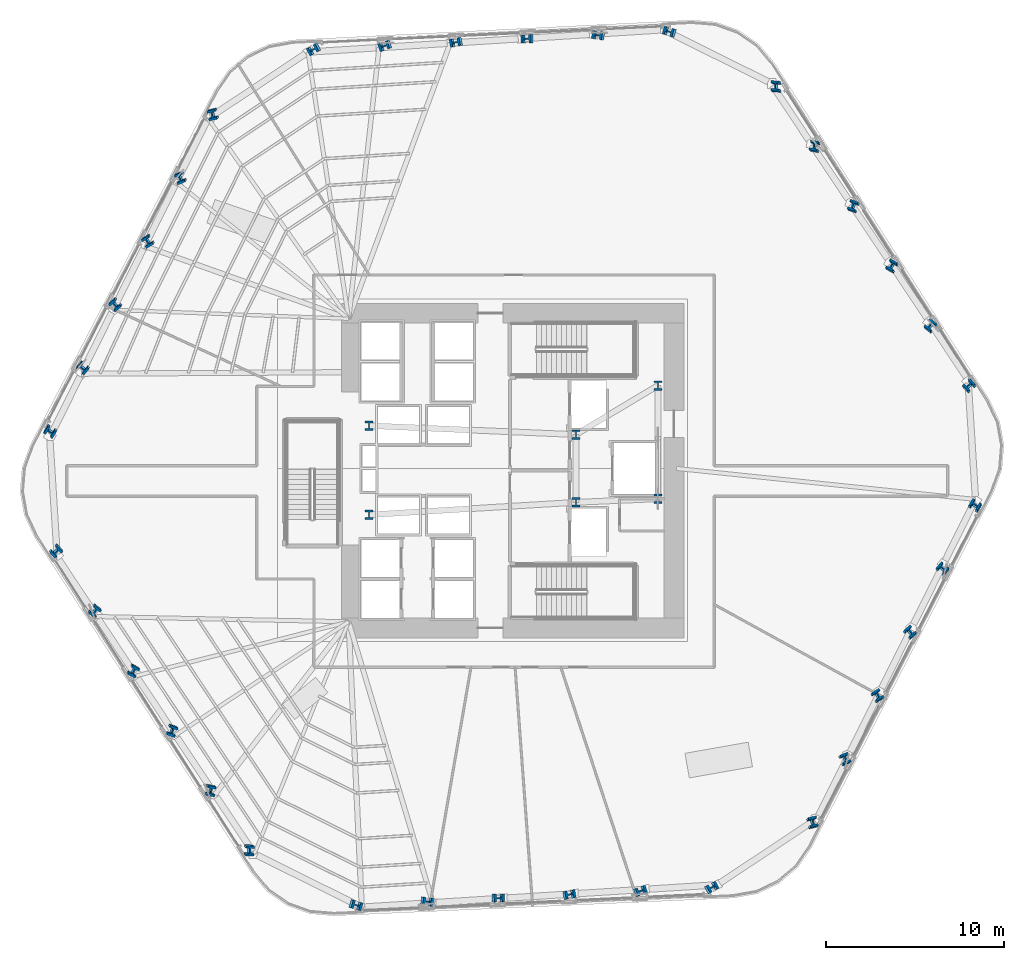
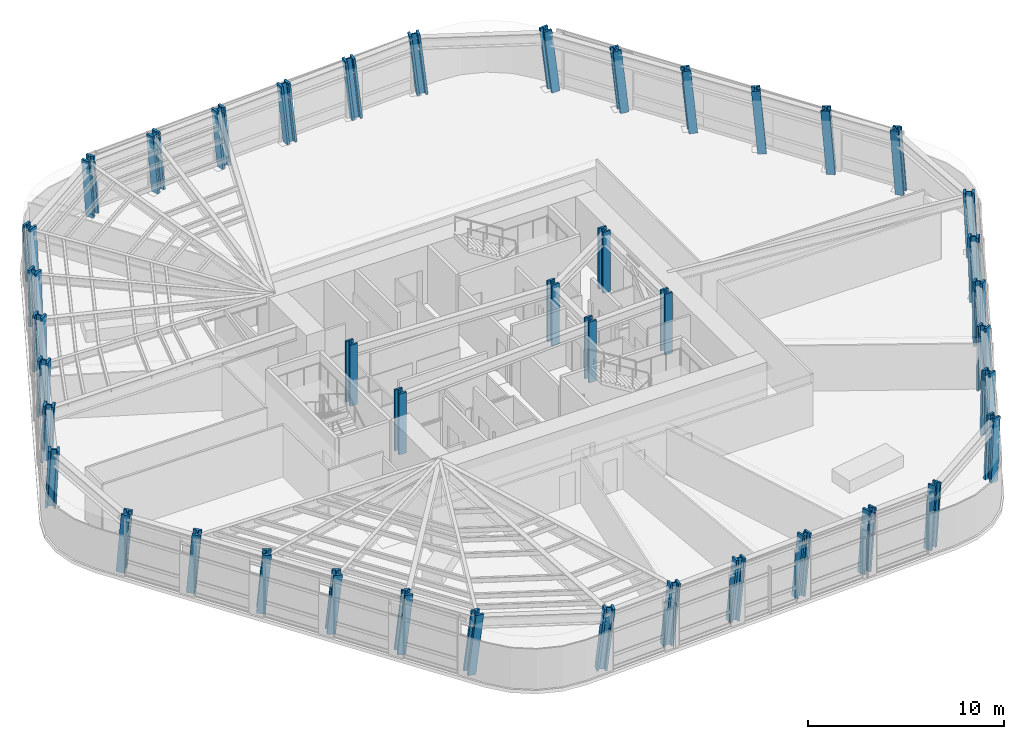
# One storey, part 1 of 15: 42 columns.
"""IFC4 building model written with IfcOpenShell, lengths in metres."""

from ifc_helpers import new_model, si_unit, direction, frame, origin, origin_2d, place, context, subcontext, project, spatial, i_section, extrude, material, material_profile, profile_set, type_object, element, save


model = new_model("IFC4")

# Units and contexts
model_context = context("Model", 3, precision=1e-05, world=origin(), true_north=direction((0.0, 1.0)))
body_context = subcontext(model_context, "Body", "Model", "MODEL_VIEW")
ifc_project = project(units=[si_unit("LENGTHUNIT", "METRE"), si_unit("AREAUNIT", "SQUARE_METRE"), si_unit("VOLUMEUNIT", "CUBIC_METRE"), si_unit("PLANEANGLEUNIT", "RADIAN"), si_unit("MASSUNIT", "GRAM", prefix="KILO")], contexts=[model_context])

# Site, building, storey
site_placement = place(None, origin())
site = spatial("IfcSite", under=ifc_project, at=site_placement, CompositionType="ELEMENT")
building_placement = place(site_placement, origin())
building = spatial("IfcBuilding", under=site, at=building_placement, Name="Valkerne Bourse Tower", CompositionType="ELEMENT")
storey_placement = place(building_placement, frame((0.0, 0.0, 35.39990234375)))
storey = spatial("IfcBuildingStorey", under=building, at=storey_placement, Name="L08", CompositionType="ELEMENT", Elevation=35.39990234375)

# Columns
ifc_material = material(Name="Steel ASTM A913 Grade 65", Category="steel")
ifc_material_profile_1 = material_profile(ifc_material, i_section(OverallWidth=0.44189453125, OverallDepth=0.531005859375, WebThickness=0.06591796875, FlangeThickness=0.105712890625, FilletRadius=0.030517578125, at=origin_2d()), Name="W14X605")
ifc_profile_set_1 = profile_set([ifc_material_profile_1], Name="Steel ASTM A913 Grade 65")
column_type_1 = type_object("IfcColumnType", Name="COL-W14X605", PredefinedType="COLUMN", material=ifc_profile_set_1)
for number, where, z_axis, x_axis, name in (
    (1, (38.75, 24.39990234375, 0.005126953125), (0.0, 0.0, 1.0), (1.0, 0.0, 0.0), "L08 Core Frame Column CC-SW"),
    (2, (38.75, 29.39990234375, 0.005126953125), (0.0, 0.0, 1.0), (1.0, 0.0, 0.0), "L08 Core Frame Column CC-NW"),
    (3, (50.35009765625, 25.10009765625, 0.005126953125), (0.0, 0.0, 1.0), (1.0, 0.0, 0.0), "L08 Core Frame Column CC-CE1"),
    (4, (50.35009765625, 28.89990234375, 0.005126953125), (0.0, 0.0, 1.0), (1.0, 0.0, 0.0), "L08 Core Frame Column CC-CE2"),
    (5, (54.949951171875, 25.300048828125, 0.005126953125), (0.0, 0.0, 1.0), (1.0, 0.0, 0.0), "L08 Core Frame Column CC-SE"),
    (6, (54.949951171875, 31.64990234375, 0.005126953125), (0.0, 0.0, 1.0), (1.0, 0.0, 0.0), "L08 Core Frame Column CC-NE"),
):
    element("IfcColumn", number, at=place(storey_placement, frame(where, z_axis=z_axis, x_axis=x_axis)), inside=storey, type_object=column_type_1, Name=name, PredefinedType="COLUMN", context=body_context, shape_type="SweptSolid", body=[
        extrude(i_section(OverallWidth=0.44189453125, OverallDepth=0.531005859375, WebThickness=0.06591796875, FlangeThickness=0.105712890625, FilletRadius=0.030517578125, at=origin_2d()), origin(), (0.0, 0.0, 1.0), 3.794921875),
    ])
ifc_material_profile_2 = material_profile(ifc_material, i_section(OverallWidth=0.45458984375, OverallDepth=0.569091796875, WebThickness=0.077880859375, FlangeThickness=0.124755859375, FilletRadius=0.030517578125, at=origin_2d()), Name="W14X730")
ifc_profile_set_2 = profile_set([ifc_material_profile_2], Name="Steel ASTM A913 Grade 65")
column_type_2 = type_object("IfcColumnType", Name="COL-W14X730", PredefinedType="COLUMN", material=ifc_profile_set_2)
column_1_placement = place(storey_placement, frame((72.42041015625, 31.576416015625, 0.010009765625), z_axis=(-0.019772398803, 0.105666780616, 0.994205000852), x_axis=(0.684904105353, -0.722995713174, 0.090463059878)))
element("IfcColumn", 7, at=column_1_placement, inside=storey, type_object=column_type_2, Name="L08 Helical Perimeter Tube Column F1-C1", PredefinedType="COLUMN", context=body_context, shape_type="SweptSolid", body=[
    extrude(i_section(OverallWidth=0.45458984375, OverallDepth=0.569091796875, WebThickness=0.077880859375, FlangeThickness=0.124755859375, FilletRadius=0.030517578125, at=origin_2d()), origin(), (0.0, 0.0, 1.0), 3.802978515625),
])
column_2_placement = place(storey_placement, frame((70.26171875, 34.939208984375, 0.010009765625), z_axis=(-0.033592952135, 0.09666805538, 0.994749617057), x_axis=(0.785083545068, -0.613373729236, 0.086119077715)))
element("IfcColumn", 8, at=column_2_placement, inside=storey, type_object=column_type_2, Name="L08 Helical Perimeter Tube Column F1-C2", PredefinedType="COLUMN", context=body_context, shape_type="SweptSolid", body=[
    extrude(i_section(OverallWidth=0.45458984375, OverallDepth=0.569091796875, WebThickness=0.077880859375, FlangeThickness=0.124755859375, FilletRadius=0.030517578125, at=origin_2d()), origin(), (0.0, 0.0, 1.0), 3.801025390625),
])
for number, where, z_axis, x_axis, name in (
    (9, (68.102783203125, 38.3017578125, 0.010009765625), (-0.047415458346, 0.087699323363, 0.99501789079), (0.873456132325, -0.479620575423, 0.083895700336), "L08 Helical Perimeter Tube Column F1-C3"),
    (10, (65.944091796875, 41.66455078125, 0.010009765625), (-0.06129309996, 0.078640203722, 0.995017022094), (0.940837617094, -0.328306054679, 0.083902995908), "L08 Helical Perimeter Tube Column F1-C4"),
):
    element("IfcColumn", number, at=place(storey_placement, frame(where, z_axis=z_axis, x_axis=x_axis)), inside=storey, type_object=column_type_2, Name=name, PredefinedType="COLUMN", context=body_context, shape_type="SweptSolid", body=[
        extrude(i_section(OverallWidth=0.45458984375, OverallDepth=0.569091796875, WebThickness=0.077880859375, FlangeThickness=0.124755859375, FilletRadius=0.030517578125, at=origin_2d()), origin(), (0.0, 0.0, 1.0), 3.800048828125),
    ])
column_3_placement = place(storey_placement, frame((63.78515625, 45.027099609375, 0.010009765625), z_axis=(-0.075022006373, 0.069626588106, 0.994748127311), x_axis=(0.981067772361, -0.173457290615, 0.086131262423)))
element("IfcColumn", 11, at=column_3_placement, inside=storey, type_object=column_type_2, Name="L08 Helical Perimeter Tube Column F1-C5", PredefinedType="COLUMN", context=body_context, shape_type="SweptSolid", body=[
    extrude(i_section(OverallWidth=0.45458984375, OverallDepth=0.569091796875, WebThickness=0.077880859375, FlangeThickness=0.124755859375, FilletRadius=0.030517578125, at=origin_2d()), origin(), (0.0, 0.0, 1.0), 3.801025390625),
])
for number, where, z_axis, x_axis, name in (
    (12, (61.62646484375, 48.389892578125, 0.010009765625), (-0.088847306299, 0.060536856821, 0.994203925324), (0.995594376171, -0.024632468642, 0.09047142988), "L08 Helical Perimeter Tube Column F1-C6"),
    (13, (55.646728515625, 51.47607421875, 0.010009765625), (-0.101365786037, 0.035757278545, 0.994206414409), (0.288128460272, 0.957578379417, -0.005063364019), "L08 Helical Perimeter Tube Column F2-C1"),
):
    element("IfcColumn", number, at=place(storey_placement, frame(where, z_axis=z_axis, x_axis=x_axis)), inside=storey, type_object=column_type_2, Name=name, PredefinedType="COLUMN", context=body_context, shape_type="SweptSolid", body=[
        extrude(i_section(OverallWidth=0.45458984375, OverallDepth=0.569091796875, WebThickness=0.077880859375, FlangeThickness=0.124755859375, FilletRadius=0.030517578125, at=origin_2d()), origin(), (0.0, 0.0, 1.0), 3.802978515625),
    ])
column_4_placement = place(storey_placement, frame((51.6552734375, 51.287841796875, 0.010009765625), z_axis=(-0.100521792204, 0.019269353138, 0.99474824017), x_axis=(0.142035333558, 0.989849846051, -0.004821441002)))
element("IfcColumn", 14, at=column_4_placement, inside=storey, type_object=column_type_2, Name="L08 Helical Perimeter Tube Column F2-C2", PredefinedType="COLUMN", context=body_context, shape_type="SweptSolid", body=[
    extrude(i_section(OverallWidth=0.45458984375, OverallDepth=0.569091796875, WebThickness=0.077880859375, FlangeThickness=0.124755859375, FilletRadius=0.030517578125, at=origin_2d()), origin(), (0.0, 0.0, 1.0), 3.801025390625),
])
for number, where, z_axis, x_axis, name in (
    (15, (47.663818359375, 51.099609375, 0.010009765625), (-0.099649647009, 0.002762691697, 0.995018751273), (-0.01917116364, 0.999805188318, -0.004695944851), "L08 Helical Perimeter Tube Column F2-C3"),
    (16, (43.672119140625, 50.911376953125, 0.010009765625), (-0.098750107293, -0.01368495306, 0.995018159819), (-0.183545481325, 0.983000000903, -0.004696222936), "L08 Helical Perimeter Tube Column F2-C4"),
):
    element("IfcColumn", number, at=place(storey_placement, frame(where, z_axis=z_axis, x_axis=x_axis)), inside=storey, type_object=column_type_2, Name=name, PredefinedType="COLUMN", context=body_context, shape_type="SweptSolid", body=[
        extrude(i_section(OverallWidth=0.45458984375, OverallDepth=0.569091796875, WebThickness=0.077880859375, FlangeThickness=0.124755859375, FilletRadius=0.030517578125, at=origin_2d()), origin(), (0.0, 0.0, 1.0), 3.800048828125),
    ])
column_5_placement = place(storey_placement, frame((39.6806640625, 50.72314453125, 0.010009765625), z_axis=(-0.097823839806, -0.030188578272, 0.994745769585), x_axis=(-0.339327310625, 0.940656004639, -0.004822571957)))
element("IfcColumn", 17, at=column_5_placement, inside=storey, type_object=column_type_2, Name="L08 Helical Perimeter Tube Column F2-C5", PredefinedType="COLUMN", context=body_context, shape_type="SweptSolid", body=[
    extrude(i_section(OverallWidth=0.45458984375, OverallDepth=0.569091796875, WebThickness=0.077880859375, FlangeThickness=0.124755859375, FilletRadius=0.030517578125, at=origin_2d()), origin(), (0.0, 0.0, 1.0), 3.801025390625),
])
for number, where, z_axis, x_axis, name in (
    (18, (35.68896484375, 50.534912109375, 0.010009765625), (-0.09680803539, -0.046670717326, 0.994208252042), (-0.475969519695, 0.879447205223, -0.005062563279), "L08 Helical Perimeter Tube Column F2-C6"),
    (19, (30.026611328125, 46.899658203125, 0.010009765625), (-0.081657485484, -0.069909592525, 0.994205564226), (-0.969396243465, -0.226155681774, -0.095522409707), "L08 Helical Perimeter Tube Column F3-C1"),
):
    element("IfcColumn", number, at=place(storey_placement, frame(where, z_axis=z_axis, x_axis=x_axis)), inside=storey, type_object=column_type_2, Name=name, PredefinedType="COLUMN", context=body_context, shape_type="SweptSolid", body=[
        extrude(i_section(OverallWidth=0.45458984375, OverallDepth=0.569091796875, WebThickness=0.077880859375, FlangeThickness=0.124755859375, FilletRadius=0.030517578125, at=origin_2d()), origin(), (0.0, 0.0, 1.0), 3.802978515625),
    ])
column_6_placement = place(storey_placement, frame((28.193603515625, 43.3486328125, 0.010009765625), z_axis=(-0.066929084825, -0.07739879771, 0.994751186839), x_axis=(-0.925116846702, -0.368634266956, -0.090926328272)))
element("IfcColumn", 20, at=column_6_placement, inside=storey, type_object=column_type_2, Name="L08 Helical Perimeter Tube Column F3-C2", PredefinedType="COLUMN", context=body_context, shape_type="SweptSolid", body=[
    extrude(i_section(OverallWidth=0.45458984375, OverallDepth=0.569091796875, WebThickness=0.077880859375, FlangeThickness=0.124755859375, FilletRadius=0.030517578125, at=origin_2d()), origin(), (0.0, 0.0, 1.0), 3.801025390625),
])
column_7_placement = place(storey_placement, frame((26.361083984375, 39.7978515625, 0.010009765625), z_axis=(-0.052234017965, -0.084936496618, 0.995016280726), x_axis=(-0.853862167171, -0.512901860126, -0.088606327952)))
element("IfcColumn", 21, at=column_7_placement, inside=storey, type_object=column_type_2, Name="L08 Helical Perimeter Tube Column F3-C3", PredefinedType="COLUMN", context=body_context, shape_type="SweptSolid", body=[
    extrude(i_section(OverallWidth=0.45458984375, OverallDepth=0.569091796875, WebThickness=0.077880859375, FlangeThickness=0.124755859375, FilletRadius=0.030517578125, at=origin_2d()), origin(), (0.0, 0.0, 1.0), 3.800048828125),
])
column_8_placement = place(storey_placement, frame((24.5283203125, 36.246826171875, 0.010009765625), z_axis=(-0.037521318513, -0.092325573122, 0.995021677756), x_axis=(-0.757798056249, -0.646451471934, -0.088558457417)))
element("IfcColumn", 22, at=column_8_placement, inside=storey, type_object=column_type_2, Name="L08 Helical Perimeter Tube Column F3-C4", PredefinedType="COLUMN", context=body_context, shape_type="SweptSolid", body=[
    extrude(i_section(OverallWidth=0.45458984375, OverallDepth=0.569091796875, WebThickness=0.077880859375, FlangeThickness=0.124755859375, FilletRadius=0.030517578125, at=origin_2d()), origin(), (0.0, 0.0, 1.0), 3.7998046875),
])
column_9_placement = place(storey_placement, frame((22.6953125, 32.696044921875, 0.010009765625), z_axis=(-0.022737789471, -0.099815041914, 0.994746173824), x_axis=(-0.643526436243, -0.759998850853, -0.090969624372)))
element("IfcColumn", 23, at=column_9_placement, inside=storey, type_object=column_type_2, Name="L08 Helical Perimeter Tube Column F3-C5", PredefinedType="COLUMN", context=body_context, shape_type="SweptSolid", body=[
    extrude(i_section(OverallWidth=0.45458984375, OverallDepth=0.569091796875, WebThickness=0.077880859375, FlangeThickness=0.124755859375, FilletRadius=0.030517578125, at=origin_2d()), origin(), (0.0, 0.0, 1.0), 3.801025390625),
])
for number, where, z_axis, x_axis, name in (
    (24, (20.86279296875, 29.14501953125, 0.010009765625), (-0.008024506797, -0.107207410803, 0.994204294076), (-0.523313427258, -0.846768286957, -0.095532848042), "L08 Helical Perimeter Tube Column F3-C6"),
    (25, (21.1796875, 22.423583984375, 0.010009765625), (0.019708227678, -0.105666914523, 0.994206260761), (0.684479750537, -0.723398700543, -0.090453253988), "L08 Helical Perimeter Tube Column F4-C1"),
):
    element("IfcColumn", number, at=place(storey_placement, frame(where, z_axis=z_axis, x_axis=x_axis)), inside=storey, type_object=column_type_2, Name=name, PredefinedType="COLUMN", context=body_context, shape_type="SweptSolid", body=[
        extrude(i_section(OverallWidth=0.45458984375, OverallDepth=0.569091796875, WebThickness=0.077880859375, FlangeThickness=0.124755859375, FilletRadius=0.030517578125, at=origin_2d()), origin(), (0.0, 0.0, 1.0), 3.802978515625),
    ])
column_10_placement = place(storey_placement, frame((23.33837890625, 19.060791015625, 0.010009765625), z_axis=(0.033592952135, -0.09666805538, 0.994749617057), x_axis=(0.785083545068, -0.613373729236, -0.086119077715)))
element("IfcColumn", 26, at=column_10_placement, inside=storey, type_object=column_type_2, Name="L08 Helical Perimeter Tube Column F4-C2", PredefinedType="COLUMN", context=body_context, shape_type="SweptSolid", body=[
    extrude(i_section(OverallWidth=0.45458984375, OverallDepth=0.569091796875, WebThickness=0.077880859375, FlangeThickness=0.124755859375, FilletRadius=0.030517578125, at=origin_2d()), origin(), (0.0, 0.0, 1.0), 3.801025390625),
])
column_11_placement = place(storey_placement, frame((25.497314453125, 15.6982421875, 0.010009765625), z_axis=(0.047415458346, -0.087699323363, 0.99501789079), x_axis=(0.873456132325, -0.479620575423, -0.083895700336)))
element("IfcColumn", 27, at=column_11_placement, inside=storey, type_object=column_type_2, Name="L08 Helical Perimeter Tube Column F4-C3", PredefinedType="COLUMN", context=body_context, shape_type="SweptSolid", body=[
    extrude(i_section(OverallWidth=0.45458984375, OverallDepth=0.569091796875, WebThickness=0.077880859375, FlangeThickness=0.124755859375, FilletRadius=0.030517578125, at=origin_2d()), origin(), (0.0, 0.0, 1.0), 3.800048828125),
])
column_12_placement = place(storey_placement, frame((27.656005859375, 12.33544921875, 0.010009765625), z_axis=(0.061229092421, -0.078640513246, 0.995020938432), x_axis=(0.940672594443, -0.328786977158, -0.083870100248)))
element("IfcColumn", 28, at=column_12_placement, inside=storey, type_object=column_type_2, Name="L08 Helical Perimeter Tube Column F4-C4", PredefinedType="COLUMN", context=body_context, shape_type="SweptSolid", body=[
    extrude(i_section(OverallWidth=0.45458984375, OverallDepth=0.569091796875, WebThickness=0.077880859375, FlangeThickness=0.124755859375, FilletRadius=0.030517578125, at=origin_2d()), origin(), (0.0, 0.0, 1.0), 3.7998046875),
])
column_13_placement = place(storey_placement, frame((29.814697265625, 8.972900390625, 0.010009765625), z_axis=(0.075085875569, -0.069626252452, 0.99474333185), x_axis=(0.981138737613, -0.173035912907, -0.086170472904)))
element("IfcColumn", 29, at=column_13_placement, inside=storey, type_object=column_type_2, Name="L08 Helical Perimeter Tube Column F4-C5", PredefinedType="COLUMN", context=body_context, shape_type="SweptSolid", body=[
    extrude(i_section(OverallWidth=0.45458984375, OverallDepth=0.569091796875, WebThickness=0.077880859375, FlangeThickness=0.124755859375, FilletRadius=0.030517578125, at=origin_2d()), origin(), (0.0, 0.0, 1.0), 3.801025390625),
])
for number, where, z_axis, x_axis, name in (
    (30, (31.9736328125, 5.610107421875, 0.010009765625), (0.088783616477, -0.06053720198, 0.99420959391), (0.995589974997, -0.024970059275, -0.090427306858), "L08 Helical Perimeter Tube Column F4-C6"),
    (31, (37.953125, 2.52392578125, 0.010009765625), (0.101365786037, -0.035757278545, 0.994206414409), (0.288128460272, 0.957578379417, 0.005063364019), "L08 Helical Perimeter Tube Column F5-C1"),
):
    element("IfcColumn", number, at=place(storey_placement, frame(where, z_axis=z_axis, x_axis=x_axis)), inside=storey, type_object=column_type_2, Name=name, PredefinedType="COLUMN", context=body_context, shape_type="SweptSolid", body=[
        extrude(i_section(OverallWidth=0.45458984375, OverallDepth=0.569091796875, WebThickness=0.077880859375, FlangeThickness=0.124755859375, FilletRadius=0.030517578125, at=origin_2d()), origin(), (0.0, 0.0, 1.0), 3.802978515625),
    ])
column_14_placement = place(storey_placement, frame((41.944580078125, 2.712158203125, 0.010009765625), z_axis=(0.100585373733, -0.019269228684, 0.994741815456), x_axis=(0.141918754761, 0.989866552819, 0.004824381474)))
element("IfcColumn", 32, at=column_14_placement, inside=storey, type_object=column_type_2, Name="L08 Helical Perimeter Tube Column F5-C2", PredefinedType="COLUMN", context=body_context, shape_type="SweptSolid", body=[
    extrude(i_section(OverallWidth=0.45458984375, OverallDepth=0.569091796875, WebThickness=0.077880859375, FlangeThickness=0.124755859375, FilletRadius=0.030517578125, at=origin_2d()), origin(), (0.0, 0.0, 1.0), 3.801025390625),
])
column_15_placement = place(storey_placement, frame((45.936279296875, 2.900390625, 0.010009765625), z_axis=(0.099649647009, -0.002762691697, 0.995018751273), x_axis=(-0.01917116364, 0.999805188318, 0.004695944851)))
element("IfcColumn", 33, at=column_15_placement, inside=storey, type_object=column_type_2, Name="L08 Helical Perimeter Tube Column F5-C3", PredefinedType="COLUMN", context=body_context, shape_type="SweptSolid", body=[
    extrude(i_section(OverallWidth=0.45458984375, OverallDepth=0.569091796875, WebThickness=0.077880859375, FlangeThickness=0.124755859375, FilletRadius=0.030517578125, at=origin_2d()), origin(), (0.0, 0.0, 1.0), 3.800048828125),
])
column_16_placement = place(storey_placement, frame((49.927978515625, 3.088623046875, 0.010009765625), z_axis=(0.098686484607, 0.013685039858, 0.995024470774), x_axis=(-0.183632791495, 0.982983708536, 0.004693254847)))
element("IfcColumn", 34, at=column_16_placement, inside=storey, type_object=column_type_2, Name="L08 Helical Perimeter Tube Column F5-C4", PredefinedType="COLUMN", context=body_context, shape_type="SweptSolid", body=[
    extrude(i_section(OverallWidth=0.45458984375, OverallDepth=0.569091796875, WebThickness=0.077880859375, FlangeThickness=0.124755859375, FilletRadius=0.030517578125, at=origin_2d()), origin(), (0.0, 0.0, 1.0), 3.7998046875),
])
column_17_placement = place(storey_placement, frame((53.91943359375, 3.27685546875, 0.010009765625), z_axis=(0.097823839806, 0.030188578272, 0.994745769585), x_axis=(-0.339327310625, 0.940656004639, 0.004822571957)))
element("IfcColumn", 35, at=column_17_placement, inside=storey, type_object=column_type_2, Name="L08 Helical Perimeter Tube Column F5-C5", PredefinedType="COLUMN", context=body_context, shape_type="SweptSolid", body=[
    extrude(i_section(OverallWidth=0.45458984375, OverallDepth=0.569091796875, WebThickness=0.077880859375, FlangeThickness=0.124755859375, FilletRadius=0.030517578125, at=origin_2d()), origin(), (0.0, 0.0, 1.0), 3.801025390625),
])
for number, where, z_axis, x_axis, name in (
    (36, (57.910888671875, 3.465087890625, 0.010009765625), (0.096871629472, 0.046670427188, 0.994202071326), (-0.475741233173, 0.879570703378, 0.005065255989), "L08 Helical Perimeter Tube Column F5-C6"),
    (37, (63.573486328125, 7.100341796875, 0.010009765625), (0.081657485484, 0.069909592525, 0.994205564226), (-0.969396243465, -0.226155681774, 0.095522409707), "L08 Helical Perimeter Tube Column F6-C1"),
):
    element("IfcColumn", number, at=place(storey_placement, frame(where, z_axis=z_axis, x_axis=x_axis)), inside=storey, type_object=column_type_2, Name=name, PredefinedType="COLUMN", context=body_context, shape_type="SweptSolid", body=[
        extrude(i_section(OverallWidth=0.45458984375, OverallDepth=0.569091796875, WebThickness=0.077880859375, FlangeThickness=0.124755859375, FilletRadius=0.030517578125, at=origin_2d()), origin(), (0.0, 0.0, 1.0), 3.802978515625),
    ])
column_18_placement = place(storey_placement, frame((65.40625, 10.6513671875, 0.010009765625), z_axis=(0.066993028055, 0.07739846482, 0.994746908432), x_axis=(-0.925289218444, -0.368192264626, 0.090963281056)))
element("IfcColumn", 38, at=column_18_placement, inside=storey, type_object=column_type_2, Name="L08 Helical Perimeter Tube Column F6-C2", PredefinedType="COLUMN", context=body_context, shape_type="SweptSolid", body=[
    extrude(i_section(OverallWidth=0.45458984375, OverallDepth=0.569091796875, WebThickness=0.077880859375, FlangeThickness=0.124755859375, FilletRadius=0.030517578125, at=origin_2d()), origin(), (0.0, 0.0, 1.0), 3.801025390625),
])
column_19_placement = place(storey_placement, frame((67.239013671875, 14.2021484375, 0.010009765625), z_axis=(0.052234017965, 0.084936496618, 0.995016280726), x_axis=(-0.853862167171, -0.512901860126, 0.088606327952)))
element("IfcColumn", 39, at=column_19_placement, inside=storey, type_object=column_type_2, Name="L08 Helical Perimeter Tube Column F6-C3", PredefinedType="COLUMN", context=body_context, shape_type="SweptSolid", body=[
    extrude(i_section(OverallWidth=0.45458984375, OverallDepth=0.569091796875, WebThickness=0.077880859375, FlangeThickness=0.124755859375, FilletRadius=0.030517578125, at=origin_2d()), origin(), (0.0, 0.0, 1.0), 3.800048828125),
])
column_20_placement = place(storey_placement, frame((69.07177734375, 17.753173828125, 0.010009765625), z_axis=(0.037521318513, 0.092325573122, 0.995021677756), x_axis=(-0.757798056249, -0.646451471934, 0.088558457417)))
element("IfcColumn", 40, at=column_20_placement, inside=storey, type_object=column_type_2, Name="L08 Helical Perimeter Tube Column F6-C4", PredefinedType="COLUMN", context=body_context, shape_type="SweptSolid", body=[
    extrude(i_section(OverallWidth=0.45458984375, OverallDepth=0.569091796875, WebThickness=0.077880859375, FlangeThickness=0.124755859375, FilletRadius=0.030517578125, at=origin_2d()), origin(), (0.0, 0.0, 1.0), 3.7998046875),
])
column_21_placement = place(storey_placement, frame((70.904541015625, 21.303955078125, 0.010009765625), z_axis=(0.022801987166, 0.099814895931, 0.994744718976), x_axis=(-0.643990896283, -0.759603822664, 0.090982185614)))
element("IfcColumn", 41, at=column_21_placement, inside=storey, type_object=column_type_2, Name="L08 Helical Perimeter Tube Column F6-C5", PredefinedType="COLUMN", context=body_context, shape_type="SweptSolid", body=[
    extrude(i_section(OverallWidth=0.45458984375, OverallDepth=0.569091796875, WebThickness=0.077880859375, FlangeThickness=0.124755859375, FilletRadius=0.030517578125, at=origin_2d()), origin(), (0.0, 0.0, 1.0), 3.801025390625),
])
column_22_placement = place(storey_placement, frame((72.7373046875, 24.85498046875, 0.010009765625), z_axis=(0.008024506797, 0.107207410803, 0.994204294076), x_axis=(-0.523313427258, -0.846768286957, 0.095532848042)))
element("IfcColumn", 42, at=column_22_placement, inside=storey, type_object=column_type_2, Name="L08 Helical Perimeter Tube Column F6-C6", PredefinedType="COLUMN", context=body_context, shape_type="SweptSolid", body=[
    extrude(i_section(OverallWidth=0.45458984375, OverallDepth=0.569091796875, WebThickness=0.077880859375, FlangeThickness=0.124755859375, FilletRadius=0.030517578125, at=origin_2d()), origin(), (0.0, 0.0, 1.0), 3.802978515625),
])

save(model, "model.ifc")
